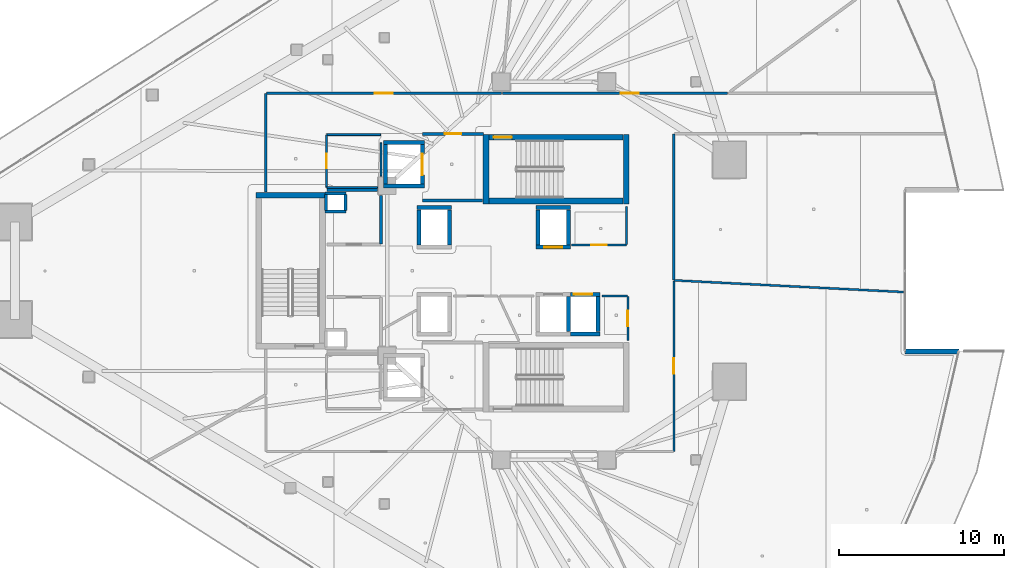
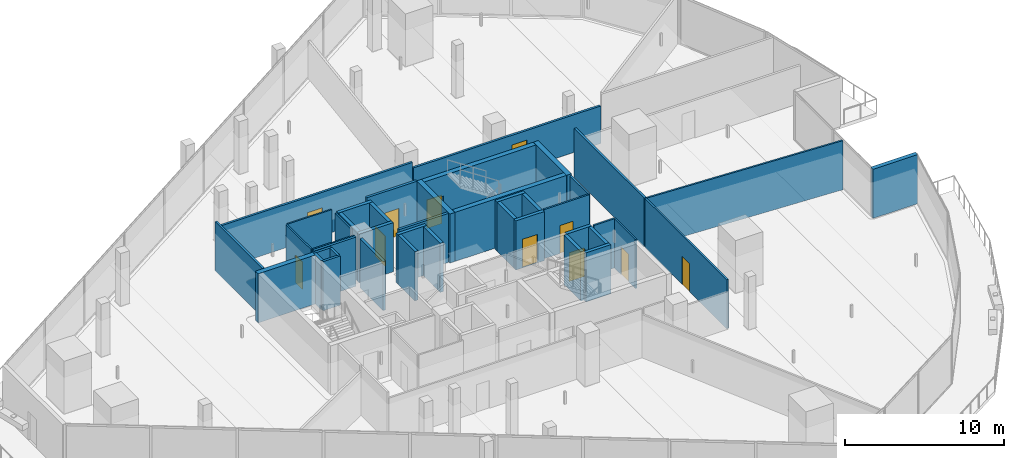
# One storey, part 26 of 38: 43 walls, 11 doors, 11 openings.
"""IFC4 building model written with IfcOpenShell, lengths in metres."""

from ifc_helpers import new_model, si_unit, direction, frame, frame_2d, origin, place, context, subcontext, project, spatial, rectangle, extrude, material, layer, layer_set, type_object, element, fill, save


model = new_model("IFC4")

# Units and contexts
model_context = context("Model", 3, precision=1e-05, world=origin(), true_north=direction((0.0, 1.0)))
body_context = subcontext(model_context, "Body", "Model", "MODEL_VIEW")
ifc_project = project(units=[si_unit("LENGTHUNIT", "METRE"), si_unit("AREAUNIT", "SQUARE_METRE"), si_unit("VOLUMEUNIT", "CUBIC_METRE"), si_unit("PLANEANGLEUNIT", "RADIAN"), si_unit("MASSUNIT", "GRAM", prefix="KILO")], contexts=[model_context])

# Site, building, storey
site_placement = place(None, origin())
site = spatial("IfcSite", under=ifc_project, at=site_placement, CompositionType="ELEMENT")
building_placement = place(site_placement, origin())
building = spatial("IfcBuilding", under=site, at=building_placement, Name="Qorvath Tower", CompositionType="ELEMENT")
storey_placement = place(building_placement, frame((0.0, 0.0, 134.10009765625)))
storey = spatial("IfcBuildingStorey", under=building, at=storey_placement, Name="L30", CompositionType="ELEMENT", Elevation=134.10009765625)

# Walls
ifc_material_1 = material(Name="Gypsum shaftliner on steel studs", Category="steel")
ifc_layer_1 = layer(ifc_material_1, 0.179931640625)
ifc_layer_set_1 = layer_set([ifc_layer_1], Name="FW-LOBBY")
wall_type_1 = type_object("IfcWallType", Name="FW-LOBBY", PredefinedType="PARTITIONING", material=ifc_layer_set_1)
for number, where, z_axis, x_axis, name in (
    (1, (-32.989990234375, 3.594970703125, 0.0), (0.0, 0.0, 1.0), (-1.0, 0.0, 0.0), "MEP Riser Shaft Enclosure Wall N-L30-S"),
    (2, (-34.260009765625, 4.675048828125, 0.0), (0.0, 0.0, 1.0), (1.0, 0.0, 0.0), "MEP Riser Shaft Enclosure Wall N-L30-N"),
):
    element("IfcWall", number, at=place(storey_placement, frame(where, z_axis=z_axis, x_axis=x_axis)), inside=storey, type_object=wall_type_1, Name=name, PredefinedType="PARTITIONING", context=body_context, shape_type="SweptSolid", body=[
        extrude(rectangle(XDim=1.27001953125, YDim=0.179931640625, at=frame_2d((0.635009765625, 0.0))), origin(), (0.0, 0.0, 1.0), 3.77978515625),
    ])
for number, where, z_axis, x_axis, name in (
    (3, (-34.205078125, 3.659912109375, 0.0), (0.0, 0.0, 1.0), (0.0, 1.0, 0.0), "MEP Riser Shaft Enclosure Wall N-L30-W"),
    (4, (-33.044921875, 4.610107421875, 0.0), (0.0, 0.0, 1.0), (0.0, -1.0, 0.0), "MEP Riser Shaft Enclosure Wall N-L30-E"),
):
    element("IfcWall", number, at=place(storey_placement, frame(where, z_axis=z_axis, x_axis=x_axis)), inside=storey, type_object=wall_type_1, Name=name, PredefinedType="PARTITIONING", context=body_context, shape_type="SweptSolid", body=[
        extrude(rectangle(XDim=0.9501953125, YDim=0.179931640625, at=frame_2d((0.47509765625, 0.0))), origin(), (0.0, 0.0, 1.0), 3.77978515625),
    ])
wall_1_placement = place(storey_placement, frame((-28.35498046875, 4.25, 0.0), z_axis=(0.0, 0.0, 1.0), x_axis=(1.0, 0.0, 0.0)))
element("IfcWall", 5, at=wall_1_placement, inside=storey, type_object=wall_type_1, Name="Interior Partition IW-T1-L30-001", PredefinedType="PARTITIONING", context=body_context, shape_type="SweptSolid", body=[
    extrude(rectangle(XDim=3.6220703125, YDim=0.179931640625, at=frame_2d((1.81103515625, 0.0))), origin(), (0.0, 0.0, 1.0), 3.77978515625),
])

# Wall, opening, door
wall_2_placement = place(storey_placement, frame((-24.68408203125, 8.300048828125, 0.0), z_axis=(0.0, 0.0, 1.0), x_axis=(-1.0, 0.0, 0.0)))
wall_2 = element("IfcWall", 6, at=wall_2_placement, inside=storey, type_object=wall_type_1, Name="Interior Partition IW-T1-L30-002", PredefinedType="PARTITIONING", context=body_context, shape_type="SweptSolid", body=[
    extrude(rectangle(XDim=3.6708984375, YDim=0.179931640625, at=frame_2d((1.83544921875, 0.0))), origin(), (0.0, 0.0, 1.0), 3.77978515625),
])
opening_1_placement = place(wall_2_placement, frame((1.33544921875, 0.0, 0.0)))
opening_1 = element("IfcOpeningElement", 7, at=opening_1_placement, cuts=wall_2, Name="Opening D-T1-L30-13", PredefinedType="OPENING", context=body_context, shape_type="SweptSolid", body=[
    extrude(rectangle(XDim=1.0, YDim=2.14990234375, at=frame_2d((0.5, 1.074951171875))), frame((0.0, 0.10009765625, 0.0), z_axis=(0.0, -1.0, 0.0), x_axis=(1.0, 0.0, 0.0)), (0.0, 0.0, 1.0), 0.199951171875),
])
ifc_material_2 = material(Name="Painted galvanised hollow metal", Category="steel")
door_type_1 = type_object("IfcDoorType", Name="FD-60", OperationType="NOTDEFINED", PredefinedType="DOOR", material=ifc_material_2)
door_1_placement = place(opening_1_placement, origin())
door_1 = element("IfcDoor", 8, at=door_1_placement, inside=storey, type_object=door_type_1, Name="Lobby Fire Service Elevator North Door D-T1-L30-13", OperationType="SINGLE_SWING_RIGHT", OverallHeight=2.14990234375, OverallWidth=1.0, PredefinedType="DOOR", context=body_context, shape_type="SweptSolid", body=[
    extrude(rectangle(XDim=1.0, YDim=2.14990234375, at=frame_2d((0.5, 1.074951171875))), frame((0.0, 0.02490234375, 0.0), z_axis=(0.0, -1.0, 0.0), x_axis=(1.0, 0.0, 0.0)), (0.0, 0.0, 1.0), 0.050048828125),
])
fill(opening_1, door_1)

# Walls
wall_3_placement = place(storey_placement, frame((-30.8798828125, 1.625, 0.0), z_axis=(0.0, 0.0, 1.0), x_axis=(0.0, 1.0, 0.0)))
element("IfcWall", 9, at=wall_3_placement, inside=storey, type_object=wall_type_1, Name="Interior Partition IW-T1-L30-016", PredefinedType="PARTITIONING", context=body_context, shape_type="SweptSolid", body=[
    extrude(rectangle(XDim=2.93505859375, YDim=0.179931640625, at=frame_2d((1.467529296875, 0.0))), origin(), (0.0, 0.0, 1.0), 3.77978515625),
])
wall_4_placement = place(storey_placement, frame((-31.090087890625, 4.89990234375, 0.0), z_axis=(0.0, 0.0, 1.0), x_axis=(-1.0, 0.0, 0.0)))
element("IfcWall", 10, at=wall_4_placement, inside=storey, type_object=wall_type_1, Name="Interior Partition IW-T1-L30-017", PredefinedType="PARTITIONING", context=body_context, shape_type="SweptSolid", body=[
    extrude(rectangle(XDim=3.064697265625, YDim=0.179931640625, at=frame_2d((1.5322265625, 0.0))), origin(), (0.0, 0.0, 1.0), 3.77978515625),
])
ifc_material_3 = material(Name="Double acoustic gypsum board on steel studs", Category="steel")
ifc_layer_2 = layer(ifc_material_3, 0.159912109375)
ifc_layer_set_2 = layer_set([ifc_layer_2], Name="IW-ACOUSTIC-160")
wall_type_2 = type_object("IfcWallType", Name="IW-ACOUSTIC-160", PredefinedType="PARTITIONING", material=ifc_layer_set_2)
wall_5_placement = place(storey_placement, frame((-37.85791015625, 4.783203125, 0.0), z_axis=(0.0, 0.0, 1.0), x_axis=(0.0, 1.0, 0.0)))
element("IfcWall", 11, at=wall_5_placement, inside=storey, type_object=wall_type_2, Name="Interior Partition IW-T1-L30-022", PredefinedType="PARTITIONING", context=body_context, shape_type="SweptSolid", body=[
    extrude(rectangle(XDim=5.949951171875, YDim=0.159912109375, at=frame_2d((2.97509765625, 0.0))), origin(), (0.0, 0.0, 1.0), 3.77978515625),
])

# Wall, opening, door
wall_6_placement = place(storey_placement, frame((-23.583740234375, 10.758056640625, 0.0), z_axis=(0.0, 0.0, 1.0), x_axis=(-1.0, 0.0, 0.0)))
wall_6 = element("IfcWall", 12, at=wall_6_placement, inside=storey, type_object=wall_type_2, Name="Interior Partition IW-T1-L30-023", PredefinedType="PARTITIONING", context=body_context, shape_type="SweptSolid", body=[
    extrude(rectangle(XDim=14.249267578125, YDim=0.159912109375, at=frame_2d((7.12451171875, 0.0))), origin(), (0.0, 0.0, 1.0), 3.343994140625),
])
opening_2_placement = place(wall_6_placement, frame((6.57470703125, 0.0, 0.0)))
opening_2 = element("IfcOpeningElement", 13, at=opening_2_placement, cuts=wall_6, Name="Opening D-T1-L30-06", PredefinedType="OPENING", context=body_context, shape_type="SweptSolid", body=[
    extrude(rectangle(XDim=1.10009765625, YDim=2.14990234375, at=frame_2d((0.550048828125, 1.074951171875))), frame((0.0, 0.08984375, 0.0), z_axis=(0.0, -1.0, 0.0), x_axis=(1.0, 0.0, 0.0)), (0.0, 0.0, 1.0), 0.179931640625),
])
ifc_material_4 = material(Name="Anodised aluminium acoustic framed glass", Category="aluminium")
door_type_2 = type_object("IfcDoorType", Name="D-03", OperationType="NOTDEFINED", PredefinedType="DOOR", material=ifc_material_4)
door_2_placement = place(opening_2_placement, origin())
door_2 = element("IfcDoor", 14, at=door_2_placement, inside=storey, type_object=door_type_2, Name="L30-01 Client Services Office Door D-T1-L30-06", OperationType="SINGLE_SWING_LEFT", OverallHeight=2.14990234375, OverallWidth=1.10009765625, PredefinedType="DOOR", context=body_context, shape_type="SweptSolid", body=[
    extrude(rectangle(XDim=1.10009765625, YDim=2.14990234375, at=frame_2d((0.550048828125, 1.074951171875))), frame((0.0, 0.02490234375, 0.0), z_axis=(0.0, -1.0, 0.0), x_axis=(1.0, 0.0, 0.0)), (0.0, 0.0, 1.0), 0.050048828125),
])
fill(opening_2, door_2)

# Wall
wall_7_placement = place(storey_placement, frame((-13.14208984375, 8.287109375, 0.0), z_axis=(0.0, 0.0, 1.0), x_axis=(0.0, -1.0, 0.0)))
element("IfcWall", 15, at=wall_7_placement, inside=storey, type_object=wall_type_2, Name="Interior Partition IW-T1-L30-043", PredefinedType="PARTITIONING", context=body_context, shape_type="SweptSolid", body=[
    extrude(rectangle(XDim=8.832763671875, YDim=0.159912109375, at=frame_2d((4.41650390625, 0.0))), origin(), (0.0, 0.0, 1.0), 3.77978515625),
])

# Wall, opening, door
wall_8_placement = place(storey_placement, frame((-23.52587890625, 10.758056640625, 0.0), z_axis=(0.0, 0.0, 1.0), x_axis=(1.0, 0.0, 0.0)))
wall_8 = element("IfcWall", 16, at=wall_8_placement, inside=storey, type_object=wall_type_2, Name="Interior Partition IW-T1-L30-045", PredefinedType="PARTITIONING", context=body_context, shape_type="SweptSolid", body=[
    extrude(rectangle(XDim=13.62646484375, YDim=0.159912109375, at=frame_2d((6.813232421875, 0.0))), origin(), (0.0, 0.0, 1.0), 2.894775390625),
])
opening_3_placement = place(wall_8_placement, frame((7.157958984375, 0.0, 0.0)))
opening_3 = element("IfcOpeningElement", 17, at=opening_3_placement, cuts=wall_8, Name="Opening D-T1-L30-12", PredefinedType="OPENING", context=body_context, shape_type="SweptSolid", body=[
    extrude(rectangle(XDim=1.10009765625, YDim=2.14990234375, at=frame_2d((0.550048828125, 1.074951171875))), frame((0.0, 0.08984375, 0.0), z_axis=(0.0, -1.0, 0.0), x_axis=(1.0, 0.0, 0.0)), (0.0, 0.0, 1.0), 0.179931640625),
])
door_3_placement = place(opening_3_placement, origin())
door_3 = element("IfcDoor", 18, at=door_3_placement, inside=storey, type_object=door_type_2, Name="L30-07 Digital Visualization Suite Door D-T1-L30-12", OperationType="SINGLE_SWING_LEFT", OverallHeight=2.14990234375, OverallWidth=1.10009765625, PredefinedType="DOOR", context=body_context, shape_type="SweptSolid", body=[
    extrude(rectangle(XDim=1.10009765625, YDim=2.14990234375, at=frame_2d((0.550048828125, 1.074951171875))), frame((0.0, 0.02490234375, 0.0), z_axis=(0.0, -1.0, 0.0), x_axis=(1.0, 0.0, 0.0)), (0.0, 0.0, 1.0), 0.050048828125),
])
fill(opening_3, door_3)

ifc_material_5 = material(Name="Gypsum board on metal studs with mineral wool", Category="gypsum")
ifc_layer_3 = layer(ifc_material_5, 0.125)
ifc_layer_set_3 = layer_set([ifc_layer_3], Name="IW-PART-125")
wall_type_3 = type_object("IfcWallType", Name="IW-PART-125", PredefinedType="PARTITIONING", material=ifc_layer_set_3)
wall_9_placement = place(storey_placement, frame((-19.333740234375, 1.56005859375, 0.0), z_axis=(0.0, 0.0, 1.0), x_axis=(1.0, 0.0, 0.0)))
wall_9 = element("IfcWall", 19, at=wall_9_placement, inside=storey, type_object=wall_type_3, Name="Interior Partition IW-T1-L30-013", PredefinedType="PARTITIONING", context=body_context, shape_type="SweptSolid", body=[
    extrude(rectangle(XDim=3.308837890625, YDim=0.125, at=frame_2d((1.654296875, 0.0))), origin(), (0.0, 0.0, 1.0), 3.77978515625),
])
opening_4_placement = place(wall_9_placement, frame((1.179443359375, 0.0, 0.0)))
opening_4 = element("IfcOpeningElement", 20, at=opening_4_placement, cuts=wall_9, Name="Opening D-T1-L30-03", PredefinedType="OPENING", context=body_context, shape_type="SweptSolid", body=[
    extrude(rectangle(XDim=0.949951171875, YDim=2.14990234375, at=frame_2d((0.47509765625, 1.074951171875))), frame((0.0, 0.072509765625, 0.0), z_axis=(0.0, -1.0, 0.0), x_axis=(1.0, 0.0, 0.0)), (0.0, 0.0, 1.0), 0.14501953125),
])
ifc_material_6 = material(Name="Solid-core American white oak veneer", Category="wood")
door_type_3 = type_object("IfcDoorType", Name="D-01", OperationType="NOTDEFINED", PredefinedType="DOOR", material=ifc_material_6)
door_4_placement = place(opening_4_placement, origin())
door_4 = element("IfcDoor", 21, at=door_4_placement, inside=storey, type_object=door_type_3, Name="L30-RCN North Staff Refreshment Pantry Door D-T1-L30-03", OperationType="SINGLE_SWING_RIGHT", OverallHeight=2.14990234375, OverallWidth=0.949951171875, PredefinedType="DOOR", context=body_context, shape_type="SweptSolid", body=[
    extrude(rectangle(XDim=0.949951171875, YDim=2.14990234375, at=frame_2d((0.47509765625, 1.074951171875))), frame((0.0, 0.02490234375, 0.0), z_axis=(0.0, -1.0, 0.0), x_axis=(1.0, 0.0, 0.0)), (0.0, 0.0, 1.0), 0.050048828125),
])
fill(opening_4, door_4)

# Walls
wall_10_placement = place(storey_placement, frame((-16.0, 1.585205078125, 0.0), z_axis=(0.0, 0.0, 1.0), x_axis=(0.0, 1.0, 0.0)))
element("IfcWall", 22, at=wall_10_placement, inside=storey, type_object=wall_type_3, Name="Interior Partition IW-T1-L30-014", PredefinedType="PARTITIONING", context=body_context, shape_type="SweptSolid", body=[
    extrude(rectangle(XDim=2.30224609375, YDim=0.125, at=frame_2d((1.151123046875, 0.0))), origin(), (0.0, 0.0, 1.0), 3.77978515625),
])
wall_11_placement = place(storey_placement, frame((0.783447265625, -1.2880859375, 0.0), z_axis=(0.0, 0.0, 1.0), x_axis=(-0.998704516963, 0.050885044939, 0.0)))
element("IfcWall", 23, at=wall_11_placement, inside=storey, type_object=wall_type_3, Name="Interior Partition IW-T1-L30-035", PredefinedType="PARTITIONING", context=body_context, shape_type="SweptSolid", body=[
    extrude(rectangle(XDim=13.918701171875, YDim=0.125, at=frame_2d((6.95947265625, 0.0))), origin(), (0.0, 0.0, 1.0), 3.77978515625),
])

# Wall, opening, door
wall_12_placement = place(storey_placement, frame((-13.14208984375, -0.603515625, 0.0), z_axis=(0.0, 0.0, 1.0), x_axis=(0.0, -1.0, 0.0)))
wall_12 = element("IfcWall", 24, at=wall_12_placement, inside=storey, type_object=wall_type_3, Name="Interior Partition IW-T1-L30-036", PredefinedType="PARTITIONING", context=body_context, shape_type="SweptSolid", body=[
    extrude(rectangle(XDim=10.32958984375, YDim=0.125, at=frame_2d((5.164794921875, 0.0))), origin(), (0.0, 0.0, 1.0), 3.77978515625),
])
opening_5_placement = place(wall_12_placement, frame((4.689697265625, 0.0, 0.0)))
opening_5 = element("IfcOpeningElement", 25, at=opening_5_placement, cuts=wall_12, Name="Opening D-T1-L30-09", PredefinedType="OPENING", context=body_context, shape_type="SweptSolid", body=[
    extrude(rectangle(XDim=0.949951171875, YDim=2.14990234375, at=frame_2d((0.47509765625, 1.074951171875))), frame((0.0, 0.072509765625, 0.0), z_axis=(0.0, -1.0, 0.0), x_axis=(1.0, 0.0, 0.0)), (0.0, 0.0, 1.0), 0.14501953125),
])
door_5_placement = place(opening_5_placement, origin())
door_5 = element("IfcDoor", 26, at=door_5_placement, inside=storey, type_object=door_type_3, Name="L30-04 Design Pin-Up Atelier Door D-T1-L30-09", OperationType="SINGLE_SWING_RIGHT", OverallHeight=2.14990234375, OverallWidth=0.949951171875, PredefinedType="DOOR", context=body_context, shape_type="SweptSolid", body=[
    extrude(rectangle(XDim=0.949951171875, YDim=2.14990234375, at=frame_2d((0.47509765625, 1.074951171875))), frame((0.0, 0.02490234375, 0.0), z_axis=(0.0, -1.0, 0.0), x_axis=(1.0, 0.0, 0.0)), (0.0, 0.0, 1.0), 0.050048828125),
])
fill(opening_5, door_5)

wall_13_placement = place(storey_placement, frame((-15.927978515625, -4.214111328125, 0.0), z_axis=(0.0, 0.0, 1.0), x_axis=(0.0, 1.0, 0.0)))
wall_13 = element("IfcWall", 27, at=wall_13_placement, inside=storey, type_object=wall_type_3, Name="Interior Partition IW-T1-L30-038", PredefinedType="PARTITIONING", context=body_context, shape_type="SweptSolid", body=[
    extrude(rectangle(XDim=2.6611328125, YDim=0.125, at=frame_2d((1.33056640625, 0.0))), origin(), (0.0, 0.0, 1.0), 3.77978515625),
])
opening_6_placement = place(wall_13_placement, frame((0.85546875, 0.0, 0.0)))
opening_6 = element("IfcOpeningElement", 28, at=opening_6_placement, cuts=wall_13, Name="Opening D-T1-L30-10", PredefinedType="OPENING", context=body_context, shape_type="SweptSolid", body=[
    extrude(rectangle(XDim=0.949951171875, YDim=2.14990234375, at=frame_2d((0.47509765625, 1.074951171875))), frame((0.0, 0.072509765625, 0.0), z_axis=(0.0, -1.0, 0.0), x_axis=(1.0, 0.0, 0.0)), (0.0, 0.0, 1.0), 0.14501953125),
])
door_6_placement = place(opening_6_placement, origin())
door_6 = element("IfcDoor", 29, at=door_6_placement, inside=storey, type_object=door_type_3, Name="L30-05 Executive Partner Office Door D-T1-L30-10", OperationType="SINGLE_SWING_LEFT", OverallHeight=2.14990234375, OverallWidth=0.949951171875, PredefinedType="DOOR", context=body_context, shape_type="SweptSolid", body=[
    extrude(rectangle(XDim=0.949951171875, YDim=2.14990234375, at=frame_2d((0.47509765625, 1.074951171875))), frame((0.0, 0.02490234375, 0.0), z_axis=(0.0, -1.0, 0.0), x_axis=(1.0, 0.0, 0.0)), (0.0, 0.0, 1.0), 0.050048828125),
])
fill(opening_6, door_6)

# Wall
wall_14_placement = place(storey_placement, frame((-15.952880859375, -1.528076171875, 0.0), z_axis=(0.0, 0.0, 1.0), x_axis=(-1.0, 0.0, 0.0)))
element("IfcWall", 30, at=wall_14_placement, inside=storey, type_object=wall_type_3, Name="Interior Partition IW-T1-L30-039", PredefinedType="PARTITIONING", context=body_context, shape_type="SweptSolid", body=[
    extrude(rectangle(XDim=1.532470703125, YDim=0.125, at=frame_2d((0.76611328125, 0.0))), origin(), (0.0, 0.0, 1.0), 3.77978515625),
])

# Wall, opening, door
ifc_material_7 = material(Name="Moisture-resistant cement board on metal studs", Category="gypsum")
ifc_layer_4 = layer(ifc_material_7, 0.110107421875)
ifc_layer_set_4 = layer_set([ifc_layer_4], Name="IW-WC-110")
wall_type_4 = type_object("IfcWallType", Name="IW-WC-110", PredefinedType="PARTITIONING", material=ifc_layer_set_4)
wall_15_placement = place(storey_placement, frame((-34.179931640625, 8.22509765625, 0.0), z_axis=(0.0, 0.0, 1.0), x_axis=(0.0, -1.0, 0.0)))
wall_15 = element("IfcWall", 31, at=wall_15_placement, inside=storey, type_object=wall_type_4, Name="Interior Partition IW-T1-L30-005", PredefinedType="PARTITIONING", context=body_context, shape_type="SweptSolid", body=[
    extrude(rectangle(XDim=3.150146484375, YDim=0.110107421875, at=frame_2d((1.5751953125, 0.0))), origin(), (0.0, 0.0, 1.0), 3.77978515625),
])
opening_7_placement = place(wall_15_placement, frame((1.135009765625, 0.0, 0.0)))
opening_7 = element("IfcOpeningElement", 32, at=opening_7_placement, cuts=wall_15, Name="Opening D-T1-L30-01", PredefinedType="OPENING", context=body_context, shape_type="SweptSolid", body=[
    extrude(rectangle(XDim=0.8798828125, YDim=2.10009765625, at=frame_2d((0.43994140625, 1.050048828125))), frame((0.0, 0.06494140625, 0.0), z_axis=(0.0, -1.0, 0.0), x_axis=(1.0, 0.0, 0.0)), (0.0, 0.0, 1.0), 0.130126953125),
])
ifc_material_8 = material(Name="Solid-core oak with acoustic drop seal", Category="wood")
door_type_4 = type_object("IfcDoorType", Name="D-02", OperationType="NOTDEFINED", PredefinedType="DOOR", material=ifc_material_8)
door_7_placement = place(opening_7_placement, origin())
door_7 = element("IfcDoor", 33, at=door_7_placement, inside=storey, type_object=door_type_4, Name="WC All-Gender North L30 Door D-T1-L30-01", OperationType="SINGLE_SWING_RIGHT", OverallHeight=2.10009765625, OverallWidth=0.8798828125, PredefinedType="DOOR", context=body_context, shape_type="SweptSolid", body=[
    extrude(rectangle(XDim=0.8798828125, YDim=2.10009765625, at=frame_2d((0.43994140625, 1.050048828125))), frame((0.0, 0.02490234375, 0.0), z_axis=(0.0, -1.0, 0.0), x_axis=(1.0, 0.0, 0.0)), (0.0, 0.0, 1.0), 0.050048828125),
])
fill(opening_7, door_7)

# Walls
wall_16_placement = place(storey_placement, frame((-34.15478515625, 5.050048828125, 0.0), z_axis=(0.0, 0.0, 1.0), x_axis=(1.0, 0.0, 0.0)))
element("IfcWall", 34, at=wall_16_placement, inside=storey, type_object=wall_type_4, Name="Interior Partition IW-T1-L30-006", PredefinedType="PARTITIONING", context=body_context, shape_type="SweptSolid", body=[
    extrude(rectangle(XDim=3.064697265625, YDim=0.110107421875, at=frame_2d((1.5322265625, 0.0))), origin(), (0.0, 0.0, 1.0), 3.77978515625),
])
wall_17_placement = place(storey_placement, frame((-30.8798828125, 5.739990234375, 0.0), z_axis=(0.0, 0.0, 1.0), x_axis=(0.0, 1.0, 0.0)))
element("IfcWall", 35, at=wall_17_placement, inside=storey, type_object=wall_type_4, Name="Interior Partition IW-T1-L30-007", PredefinedType="PARTITIONING", context=body_context, shape_type="SweptSolid", body=[
    extrude(rectangle(XDim=2.0029296875, YDim=0.110107421875, at=frame_2d((1.00146484375, 0.0))), origin(), (0.0, 0.0, 1.0), 3.77978515625),
])
wall_18_placement = place(storey_placement, frame((-30.90478515625, 8.25, 0.0), z_axis=(0.0, 0.0, 1.0), x_axis=(-1.0, 0.0, 0.0)))
element("IfcWall", 36, at=wall_18_placement, inside=storey, type_object=wall_type_4, Name="Interior Partition IW-T1-L30-008", PredefinedType="PARTITIONING", context=body_context, shape_type="SweptSolid", body=[
    extrude(rectangle(XDim=3.25, YDim=0.110107421875, at=frame_2d((1.625, 0.0))), origin(), (0.0, 0.0, 1.0), 3.77978515625),
])
ifc_material_9 = material(Name="Concrete C60/75", Category="concrete")
ifc_layer_5 = layer(ifc_material_9, 0.260009765625)
ifc_layer_set_5 = layer_set([ifc_layer_5], Name="SW-SHAFT")
wall_type_5 = type_object("IfcWallType", Name="SW-SHAFT", PredefinedType="SHEAR", material=ifc_layer_set_5)
for number, where, z_axis, x_axis, name in (
    (37, (-28.260009765625, 5.1298828125, 0.0), (0.0, 0.0, 1.0), (-1.0, 0.0, 0.0), "Hoistway Wall FSAE-1 L30 S"),
    (38, (-30.739990234375, 7.77001953125, 0.0), (0.0, 0.0, 1.0), (1.0, 0.0, 0.0), "Hoistway Wall FSAE-1 L30 N"),
):
    element("IfcWall", number, at=place(storey_placement, frame(where, z_axis=z_axis, x_axis=x_axis)), inside=storey, type_object=wall_type_5, Name=name, PredefinedType="SHEAR", context=body_context, shape_type="SweptSolid", body=[
        extrude(rectangle(XDim=2.47998046875, YDim=0.239990234375, at=frame_2d((1.239990234375, 0.0))), origin(), (0.0, 0.0, 1.0), 3.77978515625),
    ])
wall_19_placement = place(storey_placement, frame((-30.6201171875, 5.261962890625, 0.0), z_axis=(0.0, 0.0, 1.0), x_axis=(0.0, 1.0, 0.0)))
element("IfcWall", 39, at=wall_19_placement, inside=storey, type_object=wall_type_5, Name="Hoistway Wall FSAE-1 L30 W", PredefinedType="SHEAR", context=body_context, shape_type="SweptSolid", body=[
    extrude(rectangle(XDim=2.3759765625, YDim=0.239990234375, at=frame_2d((1.18798828125, 0.0))), origin(), (0.0, 0.0, 1.0), 3.77978515625),
])

# Wall, opening, door
wall_20_placement = place(storey_placement, frame((-28.3798828125, 7.637939453125, 0.0), z_axis=(0.0, 0.0, 1.0), x_axis=(0.0, -1.0, 0.0)))
wall_20 = element("IfcWall", 40, at=wall_20_placement, inside=storey, type_object=wall_type_5, Name="Hoistway Wall FSAE-1 L30 E", PredefinedType="SHEAR", context=body_context, shape_type="SweptSolid", body=[
    extrude(rectangle(XDim=2.3759765625, YDim=0.239990234375, at=frame_2d((1.18798828125, 0.0))), origin(), (0.0, 0.0, 1.0), 3.77978515625),
])
opening_8_placement = place(wall_20_placement, frame((0.537841796875, 0.0, 0.0)))
opening_8 = element("IfcOpeningElement", 41, at=opening_8_placement, cuts=wall_20, Name="Opening LD-FSAE-1-L30", PredefinedType="OPENING", context=body_context, shape_type="SweptSolid", body=[
    extrude(rectangle(XDim=1.300048828125, YDim=2.300048828125, at=frame_2d((0.64990234375, 1.14990234375))), frame((0.0, 0.1298828125, 0.0), z_axis=(0.0, -1.0, 0.0), x_axis=(1.0, 0.0, 0.0)), (0.0, 0.0, 1.0), 0.260009765625),
])
ifc_material_10 = material(Name="Brushed stainless steel AISI 316", Category="steel")
door_type_5 = type_object("IfcDoorType", Name="LD-02", OperationType="NOTDEFINED", PredefinedType="DOOR", material=ifc_material_10)
door_8_placement = place(opening_8_placement, origin())
door_8 = element("IfcDoor", 42, at=door_8_placement, inside=storey, type_object=door_type_5, Name="Elevator Landing Sliding Door LD-FSAE-1-L30", OperationType="DOUBLE_DOOR_SLIDING", OverallHeight=2.300048828125, OverallWidth=1.300048828125, PredefinedType="DOOR", context=body_context, shape_type="SweptSolid", body=[
    extrude(rectangle(XDim=1.300048828125, YDim=2.300048828125, at=frame_2d((0.64990234375, 1.14990234375))), frame((0.0, 0.02490234375, 0.0), z_axis=(0.0, -1.0, 0.0), x_axis=(1.0, 0.0, 0.0)), (0.0, 0.0, 1.0), 0.050048828125),
])
fill(opening_8, door_8)

# Walls
wall_21_placement = place(storey_placement, frame((-28.68994140625, 3.820068359375, 0.0), z_axis=(0.0, 0.0, 1.0), x_axis=(1.0, 0.0, 0.0)))
element("IfcWall", 43, at=wall_21_placement, inside=storey, type_object=wall_type_5, Name="Hoistway Wall PS-1 L30 N", PredefinedType="SHEAR", context=body_context, shape_type="SweptSolid", body=[
    extrude(rectangle(XDim=2.079833984375, YDim=0.239990234375, at=frame_2d((1.0400390625, 0.0))), origin(), (0.0, 0.0, 1.0), 3.77978515625),
])
for number, where, z_axis, x_axis, name in (
    (44, (-28.570068359375, 1.56201171875, 0.0), (0.0, 0.0, 1.0), (0.0, 1.0, 0.0), "Hoistway Wall PS-1 L30 W"),
    (45, (-26.72998046875, 3.68798828125, 0.0), (0.0, 0.0, 1.0), (0.0, -1.0, 0.0), "Hoistway Wall PS-1 L30 E"),
):
    element("IfcWall", number, at=place(storey_placement, frame(where, z_axis=z_axis, x_axis=x_axis)), inside=storey, type_object=wall_type_5, Name=name, PredefinedType="SHEAR", context=body_context, shape_type="SweptSolid", body=[
        extrude(rectangle(XDim=2.1259765625, YDim=0.239990234375, at=frame_2d((1.06298828125, 0.0))), origin(), (0.0, 0.0, 1.0), 3.77978515625),
    ])

# Wall, opening, door
wall_22_placement = place(storey_placement, frame((-19.409912109375, 1.429931640625, 0.0), z_axis=(0.0, 0.0, 1.0), x_axis=(-1.0, 0.0, 0.0)))
wall_22 = element("IfcWall", 46, at=wall_22_placement, inside=storey, type_object=wall_type_5, Name="Hoistway Wall PM-1 L30 S", PredefinedType="SHEAR", context=body_context, shape_type="SweptSolid", body=[
    extrude(rectangle(XDim=2.080078125, YDim=0.239990234375, at=frame_2d((1.0400390625, 0.0))), origin(), (0.0, 0.0, 1.0), 3.77978515625),
])
opening_9_placement = place(wall_22_placement, frame((0.489990234375, 0.0, 0.0)))
opening_9 = element("IfcOpeningElement", 47, at=opening_9_placement, cuts=wall_22, Name="Opening LD-PM-1-L30", PredefinedType="OPENING", context=body_context, shape_type="SweptSolid", body=[
    extrude(rectangle(XDim=1.10009765625, YDim=2.199951171875, at=frame_2d((0.550048828125, 1.10009765625))), frame((0.0, 0.1298828125, 0.0), z_axis=(0.0, -1.0, 0.0), x_axis=(1.0, 0.0, 0.0)), (0.0, 0.0, 1.0), 0.260009765625),
])
ifc_material_11 = material(Name="Brushed stainless steel AISI 316", Category="steel")
door_type_6 = type_object("IfcDoorType", Name="LD-01", OperationType="NOTDEFINED", PredefinedType="DOOR", material=ifc_material_11)
door_9_placement = place(opening_9_placement, origin())
door_9 = element("IfcDoor", 48, at=door_9_placement, inside=storey, type_object=door_type_6, Name="Elevator Landing Sliding Door LD-PM-1-L30", OperationType="DOUBLE_DOOR_SLIDING", OverallHeight=2.199951171875, OverallWidth=1.10009765625, PredefinedType="DOOR", context=body_context, shape_type="SweptSolid", body=[
    extrude(rectangle(XDim=1.10009765625, YDim=2.199951171875, at=frame_2d((0.550048828125, 1.10009765625))), frame((0.0, 0.02490234375, 0.0), z_axis=(0.0, -1.0, 0.0), x_axis=(1.0, 0.0, 0.0)), (0.0, 0.0, 1.0), 0.050048828125),
])
fill(opening_9, door_9)

# Walls
wall_23_placement = place(storey_placement, frame((-21.489990234375, 3.820068359375, 0.0), z_axis=(0.0, 0.0, 1.0), x_axis=(1.0, 0.0, 0.0)))
element("IfcWall", 49, at=wall_23_placement, inside=storey, type_object=wall_type_5, Name="Hoistway Wall PM-1 L30 N", PredefinedType="SHEAR", context=body_context, shape_type="SweptSolid", body=[
    extrude(rectangle(XDim=2.080078125, YDim=0.239990234375, at=frame_2d((1.0400390625, 0.0))), origin(), (0.0, 0.0, 1.0), 3.77978515625),
])
for number, where, z_axis, x_axis, name in (
    (50, (-21.3701171875, 1.56201171875, 0.0), (0.0, 0.0, 1.0), (0.0, 1.0, 0.0), "Hoistway Wall PM-1 L30 W"),
    (51, (-19.530029296875, 3.68798828125, 0.0), (0.0, 0.0, 1.0), (0.0, -1.0, 0.0), "Hoistway Wall PM-1 L30 E"),
    (52, (-19.530029296875, -1.56201171875, 0.0), (0.0, 0.0, 1.0), (0.0, -1.0, 0.0), "Hoistway Wall PM-2 L30 E"),
):
    element("IfcWall", number, at=place(storey_placement, frame(where, z_axis=z_axis, x_axis=x_axis)), inside=storey, type_object=wall_type_5, Name=name, PredefinedType="SHEAR", context=body_context, shape_type="SweptSolid", body=[
        extrude(rectangle(XDim=2.1259765625, YDim=0.239990234375, at=frame_2d((1.06298828125, 0.0))), origin(), (0.0, 0.0, 1.0), 3.77978515625),
    ])
wall_24_placement = place(storey_placement, frame((-17.610107421875, -3.820068359375, 0.0), z_axis=(0.0, 0.0, 1.0), x_axis=(-1.0, 0.0, 0.0)))
element("IfcWall", 53, at=wall_24_placement, inside=storey, type_object=wall_type_5, Name="Hoistway Wall PM-3 L30 S", PredefinedType="SHEAR", context=body_context, shape_type="SweptSolid", body=[
    extrude(rectangle(XDim=1.7998046875, YDim=0.239990234375, at=frame_2d((0.89990234375, 0.0))), origin(), (0.0, 0.0, 1.0), 3.77978515625),
])

# Wall, opening, door
wall_25_placement = place(storey_placement, frame((-19.409912109375, -1.429931640625, 0.0), z_axis=(0.0, 0.0, 1.0), x_axis=(1.0, 0.0, 0.0)))
wall_25 = element("IfcWall", 54, at=wall_25_placement, inside=storey, type_object=wall_type_5, Name="Hoistway Wall PM-3 L30 N", PredefinedType="SHEAR", context=body_context, shape_type="SweptSolid", body=[
    extrude(rectangle(XDim=1.7998046875, YDim=0.239990234375, at=frame_2d((0.89990234375, 0.0))), origin(), (0.0, 0.0, 1.0), 3.77978515625),
])
opening_10_placement = place(wall_25_placement, frame((0.2099609375, 0.0, 0.0)))
opening_10 = element("IfcOpeningElement", 55, at=opening_10_placement, cuts=wall_25, Name="Opening LD-PM-3-L30", PredefinedType="OPENING", context=body_context, shape_type="SweptSolid", body=[
    extrude(rectangle(XDim=1.10009765625, YDim=2.199951171875, at=frame_2d((0.550048828125, 1.10009765625))), frame((0.0, 0.1298828125, 0.0), z_axis=(0.0, -1.0, 0.0), x_axis=(1.0, 0.0, 0.0)), (0.0, 0.0, 1.0), 0.260009765625),
])
door_10_placement = place(opening_10_placement, origin())
door_10 = element("IfcDoor", 56, at=door_10_placement, inside=storey, type_object=door_type_6, Name="Elevator Landing Sliding Door LD-PM-3-L30", OperationType="DOUBLE_DOOR_SLIDING", OverallHeight=2.199951171875, OverallWidth=1.10009765625, PredefinedType="DOOR", context=body_context, shape_type="SweptSolid", body=[
    extrude(rectangle(XDim=1.10009765625, YDim=2.199951171875, at=frame_2d((0.550048828125, 1.10009765625))), frame((0.0, 0.02490234375, 0.0), z_axis=(0.0, -1.0, 0.0), x_axis=(1.0, 0.0, 0.0)), (0.0, 0.0, 1.0), 0.050048828125),
])
fill(opening_10, door_10)

# Walls
wall_26_placement = place(storey_placement, frame((-17.72998046875, -1.56201171875, 0.0), z_axis=(0.0, 0.0, 1.0), x_axis=(0.0, -1.0, 0.0)))
element("IfcWall", 57, at=wall_26_placement, inside=storey, type_object=wall_type_5, Name="Hoistway Wall PM-3 L30 E", PredefinedType="SHEAR", context=body_context, shape_type="SweptSolid", body=[
    extrude(rectangle(XDim=2.1259765625, YDim=0.239990234375, at=frame_2d((1.06298828125, 0.0))), origin(), (0.0, 0.0, 1.0), 3.77978515625),
])
ifc_material_12 = material(Name="Concrete C60/75", Category="concrete")
ifc_layer_6 = layer(ifc_material_12, 0.35009765625)
ifc_layer_set_6 = layer_set([ifc_layer_6], Name="SW-STAIR")
wall_type_6 = type_object("IfcWallType", Name="SW-STAIR", PredefinedType="SHEAR", material=ifc_layer_set_6)
for number, where, z_axis, x_axis, name in (
    (58, (-24.52490234375, 8.260009765625, 0.0), (0.0, 0.0, 1.0), (0.0, -1.0, 0.0), "Stair TS1 Shear Wall L30 NEAR"),
    (59, (-16.02490234375, 4.050048828125, 0.0), (0.0, 0.0, 1.0), (0.0, 1.0, 0.0), "Stair TS1 Shear Wall L30 FAR"),
):
    element("IfcWall", number, at=place(storey_placement, frame(where, z_axis=z_axis, x_axis=x_axis)), inside=storey, type_object=wall_type_6, Name=name, PredefinedType="SHEAR", context=body_context, shape_type="SweptSolid", body=[
        extrude(rectangle(XDim=4.2099609375, YDim=0.35009765625, at=frame_2d((2.10498046875, 0.0))), origin(), (0.0, 0.0, 1.0), 3.77978515625),
    ])
wall_27_placement = place(storey_placement, frame((-24.3349609375, 4.22509765625, 0.0), z_axis=(0.0, 0.0, 1.0), x_axis=(1.0, 0.0, 0.0)))
element("IfcWall", 60, at=wall_27_placement, inside=storey, type_object=wall_type_6, Name="Stair TS1 Shear Wall L30 LEFT", PredefinedType="SHEAR", context=body_context, shape_type="SweptSolid", body=[
    extrude(rectangle(XDim=8.119873046875, YDim=0.35009765625, at=frame_2d((4.06005859375, 0.0))), origin(), (0.0, 0.0, 1.0), 3.77978515625),
])

# Wall, opening, door
wall_28_placement = place(storey_placement, frame((-16.215087890625, 8.0849609375, 0.0), z_axis=(0.0, 0.0, 1.0), x_axis=(-1.0, 0.0, 0.0)))
wall_28 = element("IfcWall", 61, at=wall_28_placement, inside=storey, type_object=wall_type_6, Name="Stair TS1 Shear Wall L30 RIGHT", PredefinedType="SHEAR", context=body_context, shape_type="SweptSolid", body=[
    extrude(rectangle(XDim=8.119873046875, YDim=0.35009765625, at=frame_2d((4.06005859375, 0.0))), origin(), (0.0, 0.0, 1.0), 3.77978515625),
])
opening_11_placement = place(wall_28_placement, frame((6.739990234375, 0.0, 0.0)))
opening_11 = element("IfcOpeningElement", 62, at=opening_11_placement, cuts=wall_28, Name="Opening D-TS1-L30", PredefinedType="OPENING", context=body_context, shape_type="SweptSolid", body=[
    extrude(rectangle(XDim=1.10009765625, YDim=2.199951171875, at=frame_2d((0.550048828125, 1.10009765625))), frame((0.0, 0.18505859375, 0.0), z_axis=(0.0, -1.0, 0.0), x_axis=(1.0, 0.0, 0.0)), (0.0, 0.0, 1.0), 0.3701171875),
])
ifc_material_13 = material(Name="Painted galvanised hollow metal", Category="steel")
door_type_7 = type_object("IfcDoorType", Name="FD-90", OperationType="NOTDEFINED", PredefinedType="DOOR", material=ifc_material_13)
door_11_placement = place(opening_11_placement, origin())
door_11 = element("IfcDoor", 63, at=door_11_placement, inside=storey, type_object=door_type_7, Name="Stair TS1 Fire Door L30", OperationType="SINGLE_SWING_LEFT", OverallHeight=2.199951171875, OverallWidth=1.10009765625, PredefinedType="DOOR", context=body_context, shape_type="SweptSolid", body=[
    extrude(rectangle(XDim=1.10009765625, YDim=2.199951171875, at=frame_2d((0.550048828125, 1.10009765625))), frame((0.0, 0.02490234375, 0.0), z_axis=(0.0, -1.0, 0.0), x_axis=(1.0, 0.0, 0.0)), (0.0, 0.0, 1.0), 0.050048828125),
])
fill(opening_11, door_11)

# Walls
wall_29_placement = place(storey_placement, frame((-34.25, 4.574951171875, 0.0), z_axis=(0.0, 0.0, 1.0), x_axis=(-1.0, 0.0, 0.0)))
element("IfcWall", 64, at=wall_29_placement, inside=storey, type_object=wall_type_6, Name="Stair TS3 Shear Wall L30 FAR", PredefinedType="SHEAR", context=body_context, shape_type="SweptSolid", body=[
    extrude(rectangle(XDim=4.2099609375, YDim=0.35009765625, at=frame_2d((2.10498046875, 0.0))), origin(), (0.0, 0.0, 1.0), 3.77978515625),
])
ifc_material_14 = material(Name="Precast concrete C45/55", Category="concrete")
ifc_layer_7 = layer(ifc_material_14, 0.300048828125)
ifc_layer_set_7 = layer_set([ifc_layer_7], Name="WL-EW-LOG-300")
wall_type_7 = type_object("IfcWallType", Name="WL-EW-LOG-300", PredefinedType="SOLIDWALL", material=ifc_layer_set_7)
wall_30_placement = place(storey_placement, frame((4.11767578125, -4.881591796875, 0.0), z_axis=(0.0, 0.0, 1.0), x_axis=(-1.0, 0.0, 0.0)))
element("IfcWall", 65, at=wall_30_placement, inside=storey, type_object=wall_type_7, Name="Tower Precast Loggia Wall L30-8.1", PredefinedType="SOLIDWALL", context=body_context, shape_type="SweptSolid", body=[
    extrude(rectangle(XDim=3.25439453125, YDim=0.300048828125, at=frame_2d((1.627197265625, 0.0))), origin(), (0.0, 0.0, 1.0), 3.77978515625),
])

save(model, "model.ifc")
